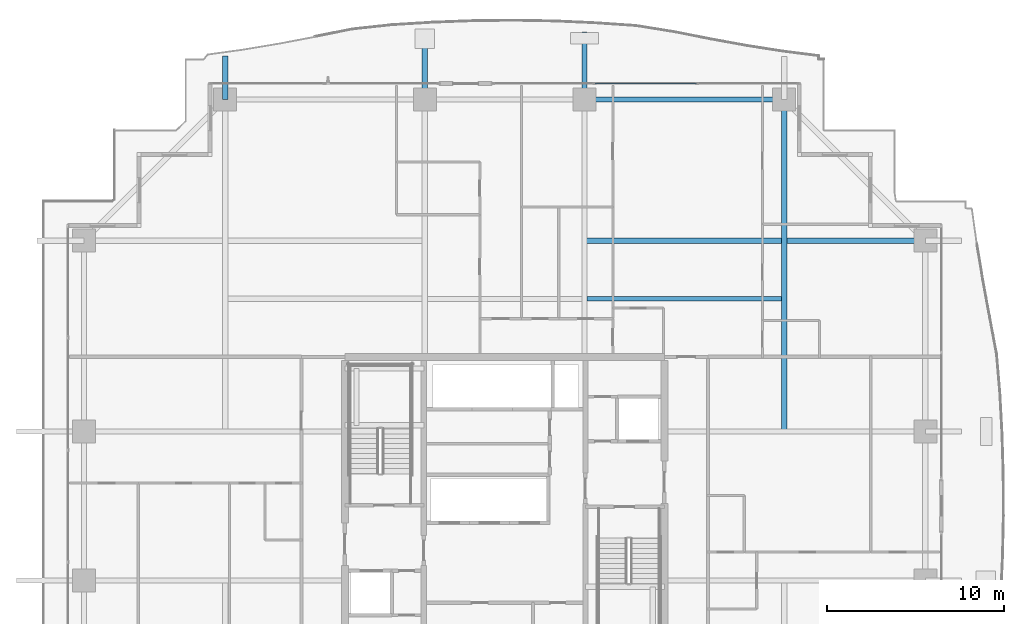
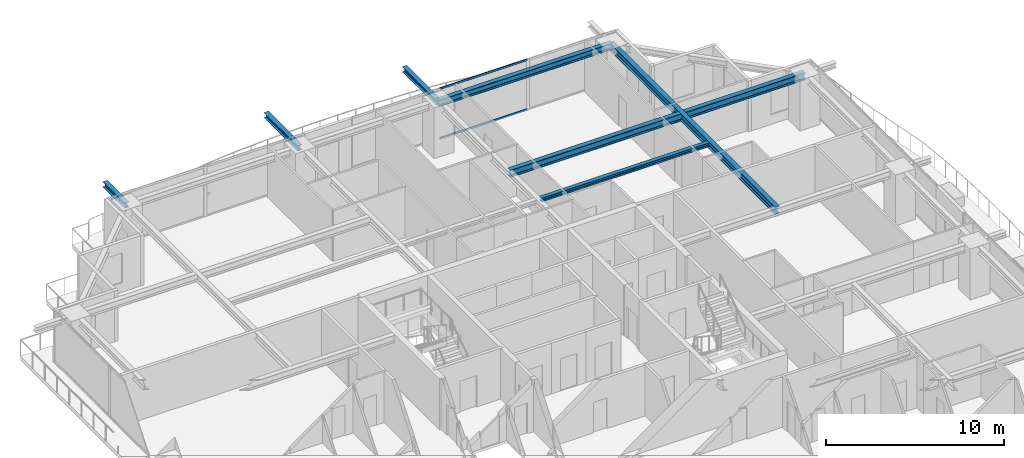
# One storey, part 20 of 34: 7 beams, 2 members, 1 element without a shape of its own.
"""IFC4 building model written with IfcOpenShell, lengths in metres."""

from ifc_helpers import new_model, si_unit, direction, frame, origin, origin_2d, place, context, subcontext, project, spatial, hollow_rectangle, i_section, extrude, source, transform, mapped, material, layer, layer_set, material_profile, profile_set, type_object, element, aggregate, save


model = new_model("IFC4")

# Units and contexts
model_context = context("Model", 3, precision=1e-05, world=origin(), true_north=direction((0.0, 1.0)))
body_context = subcontext(model_context, "Body", "Model", "MODEL_VIEW")
ifc_project = project(units=[si_unit("LENGTHUNIT", "METRE"), si_unit("AREAUNIT", "SQUARE_METRE"), si_unit("VOLUMEUNIT", "CUBIC_METRE"), si_unit("PLANEANGLEUNIT", "RADIAN"), si_unit("MASSUNIT", "GRAM", prefix="KILO")], contexts=[model_context])

# Site, building, storey
site_placement = place(None, origin())
site = spatial("IfcSite", under=ifc_project, at=site_placement, CompositionType="ELEMENT")
building_placement = place(site_placement, origin())
building = spatial("IfcBuilding", under=site, at=building_placement, Name="Serunith Strait Residences", CompositionType="ELEMENT")
storey_placement = place(building_placement, frame((0.0, 0.0, 135.14990234375)))
storey = spatial("IfcBuildingStorey", under=building, at=storey_placement, Name="L33", CompositionType="ELEMENT", Elevation=135.14990234375)

# Beams
ifc_material_1 = material(Name="Steel S355J2", Category="steel")
ifc_material_profile_1 = material_profile(ifc_material_1, i_section(OverallWidth=0.300048828125, OverallDepth=0.5, WebThickness=0.014404296875, FlangeThickness=0.028076171875, FilletRadius=0.027099609375, at=origin_2d()), Name="HEB 500")
ifc_profile_set_1 = profile_set([ifc_material_profile_1], Name="Steel S355J2")
beam_type_1 = type_object("IfcBeamType", Name="BM-HEB500", PredefinedType="BEAM", material=ifc_profile_set_1)
shared_shape_1 = source(origin(), body_context, "Body", "SweptSolid", [
    extrude(i_section(OverallWidth=0.300048828125, OverallDepth=0.5, WebThickness=0.014404296875, FlangeThickness=0.028076171875, FilletRadius=0.027099609375, at=origin_2d()), origin(), (0.0, 0.0, 1.0), 18.7001953125),
])
beam_1_placement = place(storey_placement, frame((48.14990234375, 29.39990234375, 3.237060546875), z_axis=(0.0, 1.0, 0.0), x_axis=(-1.0, 0.0, 0.0)))
element("IfcBeam", 1, at=beam_1_placement, inside=storey, type_object=beam_type_1, Name="L33 Orthogonal Corner Girder TC-N4", PredefinedType="BEAM", context=body_context, shape_type="MappedRepresentation", body=[
    mapped(shared_shape_1, transform((0.0, 0.0, 0.0), scale=1.0)),
])
shared_shape_2 = source(origin(), body_context, "Body", "SweptSolid", [
    extrude(i_section(OverallWidth=0.300048828125, OverallDepth=0.5, WebThickness=0.014404296875, FlangeThickness=0.028076171875, FilletRadius=0.027099609375, at=origin_2d()), origin(), (0.0, 0.0, 1.0), 19.2001953125),
])
beam_2_placement = place(storey_placement, frame((36.89990234375, 40.14990234375, 3.237060546875), z_axis=(1.0, 0.0, 0.0), x_axis=(0.0, 1.0, 0.0)))
element("IfcBeam", 2, at=beam_2_placement, inside=storey, type_object=beam_type_1, Name="L33 Orthogonal Corner Girder TC-E4", PredefinedType="BEAM", context=body_context, shape_type="MappedRepresentation", body=[
    mapped(shared_shape_2, transform((0.0, 0.0, 0.0), scale=1.0)),
])
ifc_material_profile_2 = material_profile(ifc_material_1, i_section(OverallWidth=0.300048828125, OverallDepth=0.449951171875, WebThickness=0.013916015625, FlangeThickness=0.02587890625, FilletRadius=0.027099609375, at=origin_2d()), Name="HEB 450")
ifc_profile_set_2 = profile_set([ifc_material_profile_2], Name="Steel S355J2")
beam_type_2 = type_object("IfcBeamType", Name="BM-HEB450", PredefinedType="BEAM", material=ifc_profile_set_2)
shared_shape_3 = source(origin(), body_context, "Body", "SweptSolid", [
    extrude(i_section(OverallWidth=0.300048828125, OverallDepth=0.449951171875, WebThickness=0.013916015625, FlangeThickness=0.02587890625, FilletRadius=0.027099609375, at=origin_2d()), origin(), (0.0, 0.0, 1.0), 11.25),
])
beam_3_placement = place(storey_placement, frame((48.14990234375, 48.10009765625, 3.26220703125), z_axis=(-1.0, 0.0, 0.0), x_axis=(0.0, -1.0, 0.0)))
element("IfcBeam", 3, at=beam_3_placement, inside=storey, type_object=beam_type_2, Name="L33 Perimeter Ring Beam 09", PredefinedType="BEAM", context=body_context, shape_type="MappedRepresentation", body=[
    mapped(shared_shape_3, transform((0.0, 0.0, 0.0), scale=1.0)),
])
ifc_material_profile_3 = material_profile(ifc_material_1, i_section(OverallWidth=0.300048828125, OverallDepth=0.360107421875, WebThickness=0.012451171875, FlangeThickness=0.0224609375, FilletRadius=0.027099609375, at=origin_2d()), Name="HEB 360")
ifc_profile_set_3 = profile_set([ifc_material_profile_3], Name="Steel S355J2")
beam_type_3 = type_object("IfcBeamType", Name="BM-HEB360", PredefinedType="BEAM", material=ifc_profile_set_3)
shared_shape_4 = source(origin(), body_context, "Body", "SweptSolid", [
    extrude(i_section(OverallWidth=0.300048828125, OverallDepth=0.360107421875, WebThickness=0.012451171875, FlangeThickness=0.0224609375, FilletRadius=0.027099609375, at=origin_2d()), origin(), (0.0, 0.0, 1.0), 3.7998046875),
])
for number, where, z_axis, x_axis, name in (
    (4, (27.89990234375, 48.10009765625, 3.277099609375), (0.0, 1.0, 0.0), (-1.0, 0.0, 0.0), "L34 Cantilevered Balcony Rib TC-N2"),
    (5, (36.89990234375, 48.10009765625, 3.277099609375), (0.0, 1.0, 0.0), (-1.0, 0.0, 0.0), "L34 Cantilevered Balcony Rib TC-N3"),
):
    element("IfcBeam", number, at=place(storey_placement, frame(where, z_axis=z_axis, x_axis=x_axis)), inside=storey, type_object=beam_type_3, Name=name, PredefinedType="BEAM", context=body_context, shape_type="MappedRepresentation", body=[
        mapped(shared_shape_4, transform((0.0, 0.0, 0.0), scale=1.0)),
    ])
ifc_material_profile_4 = material_profile(ifc_material_1, i_section(OverallWidth=0.260009765625, OverallDepth=0.260009765625, WebThickness=0.010009765625, FlangeThickness=0.017578125, FilletRadius=0.02392578125, at=origin_2d()), Name="HEB 260")
ifc_profile_set_4 = profile_set([ifc_material_profile_4], Name="Steel S355J2")
beam_type_4 = type_object("IfcBeamType", Name="BM-HEB260", PredefinedType="JOIST", material=ifc_profile_set_4)
shared_shape_5 = source(origin(), body_context, "Body", "SweptSolid", [
    extrude(i_section(OverallWidth=0.260009765625, OverallDepth=0.260009765625, WebThickness=0.010009765625, FlangeThickness=0.017578125, FilletRadius=0.02392578125, at=origin_2d()), origin(), (0.0, 0.0, 1.0), 10.949951171875),
])
beam_4_placement = place(storey_placement, frame((37.050048828125, 36.875, 3.357177734375), z_axis=(1.0, 0.0, 0.0), x_axis=(0.0, 1.0, 0.0)))
element("IfcBeam", 6, at=beam_4_placement, inside=storey, type_object=beam_type_4, Name="L33 Composite Floor Joist 06", PredefinedType="JOIST", context=body_context, shape_type="MappedRepresentation", body=[
    mapped(shared_shape_5, transform((0.0, 0.0, 0.0), scale=1.0)),
])
shared_shape_6 = source(origin(), body_context, "Body", "SweptSolid", [
    extrude(i_section(OverallWidth=0.300048828125, OverallDepth=0.360107421875, WebThickness=0.012451171875, FlangeThickness=0.0224609375, FilletRadius=0.027099609375, at=origin_2d()), origin(), (0.0, 0.0, 1.0), 2.463134765625),
])
beam_5_placement = place(storey_placement, frame((16.64990234375, 48.10009765625, 3.277099609375), z_axis=(0.0, 1.0, 0.0), x_axis=(-1.0, 0.0, 0.0)))
element("IfcBeam", 7, at=beam_5_placement, inside=storey, type_object=beam_type_3, Name="L34 Cantilevered Balcony Rib TC-N1", PredefinedType="BEAM", context=body_context, shape_type="MappedRepresentation", body=[
    mapped(shared_shape_6, transform((0.0, 0.0, 0.0), scale=1.0)),
])

# Curtain wall, members
ifc_material_2 = material(Name="Pale-Champagne Anodised Aluminium", Category="aluminium")
ifc_layer = layer(ifc_material_2, 0.199951171875, Name="Pale-Champagne Anodised Aluminium")
ifc_layer_set = layer_set([ifc_layer], Name="Pale-Champagne Anodised Aluminium")
curtain_wall_type = type_object("IfcCurtainWallType", Name="CW-SYS2", PredefinedType="NOTDEFINED", material=ifc_layer_set)
curtain_wall_placement = place(storey_placement, origin())
curtain_wall = element("IfcCurtainWall", 8, at=curtain_wall_placement, inside=storey, type_object=curtain_wall_type, Name="L33 N Unitised Fritted Curtain Wall", PredefinedType="NOTDEFINED")
ifc_material_profile_5 = material_profile(ifc_material_2, hollow_rectangle(XDim=0.06005859375, YDim=0.139892578125, WallThickness=0.00341796875, InnerFilletRadius=0.00537109375, OuterFilletRadius=0.0087890625, at=origin_2d()), Name="ALU 140x60x3.5")
ifc_profile_set_5 = profile_set([ifc_material_profile_5], Name="Pale-Champagne Anodised Aluminium")
member_type = type_object("IfcMemberType", Name="CW-SYS2-TRAN", PredefinedType="USERDEFINED", material=ifc_profile_set_5)
shared_shape_7 = source(origin(), body_context, "Body", "SweptSolid", [
    extrude(hollow_rectangle(XDim=0.06005859375, YDim=0.139892578125, WallThickness=0.00341796875, InnerFilletRadius=0.00537109375, OuterFilletRadius=0.0087890625, at=origin_2d()), origin(), (0.0, 0.0, 1.0), 5.696533203125),
])
member_1_placement = place(storey_placement, frame((43.1982421875, 49.0, 0.030029296875), z_axis=(-1.0, 0.0, 0.0), x_axis=(0.0, -1.0, 0.0)))
member_1 = element("IfcMember", 9, at=member_1_placement, type_object=member_type, Name="CW-2 transom 2.1", ObjectType="TRANSOM", PredefinedType="USERDEFINED", context=body_context, shape_type="MappedRepresentation", body=[
    mapped(shared_shape_7, transform((0.0, 0.0, 0.0), scale=1.0)),
])
member_2_placement = place(storey_placement, frame((43.1982421875, 49.0, 3.445068359375), z_axis=(-1.0, 0.0, 0.0), x_axis=(0.0, -1.0, 0.0)))
member_2 = element("IfcMember", 10, at=member_2_placement, type_object=member_type, Name="CW-2 transom 2.2", ObjectType="TRANSOM", PredefinedType="USERDEFINED", context=body_context, shape_type="MappedRepresentation", body=[
    mapped(shared_shape_7, transform((0.0, 0.0, 0.0), scale=1.0)),
])
aggregate(curtain_wall, [member_1, member_2])

save(model, "model.ifc")
